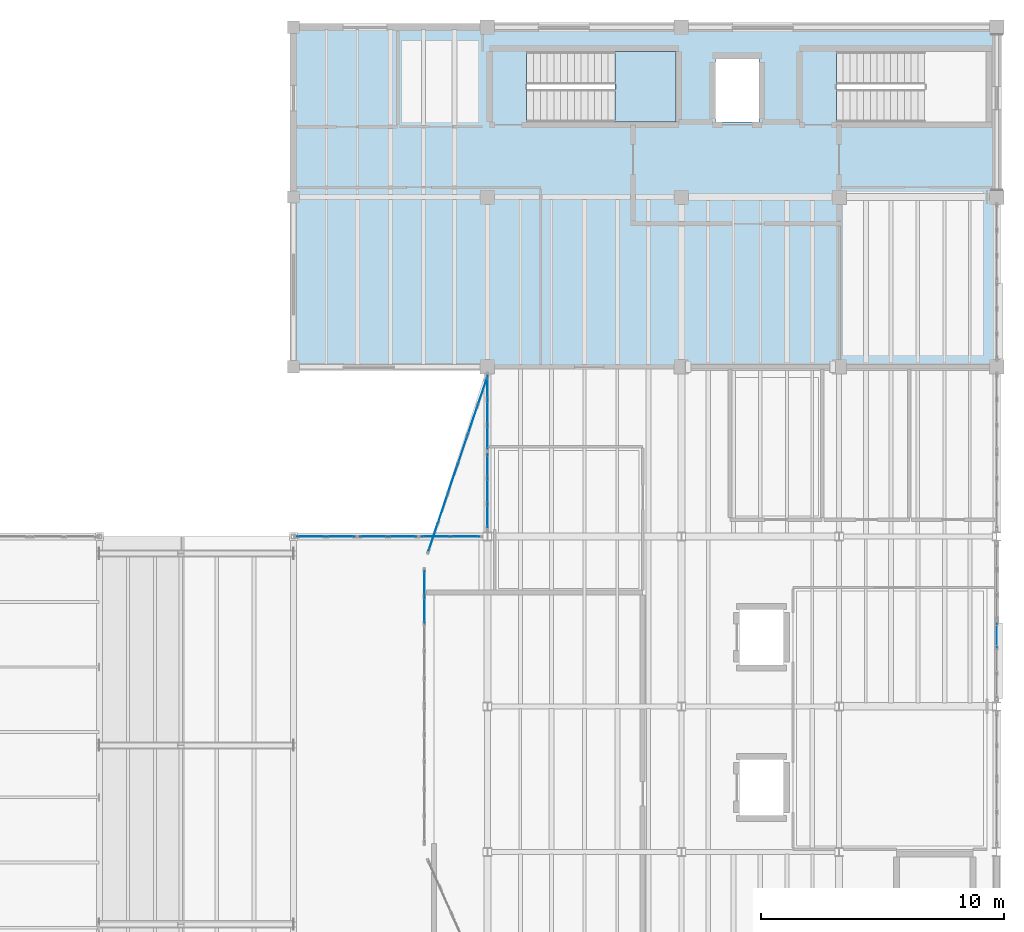
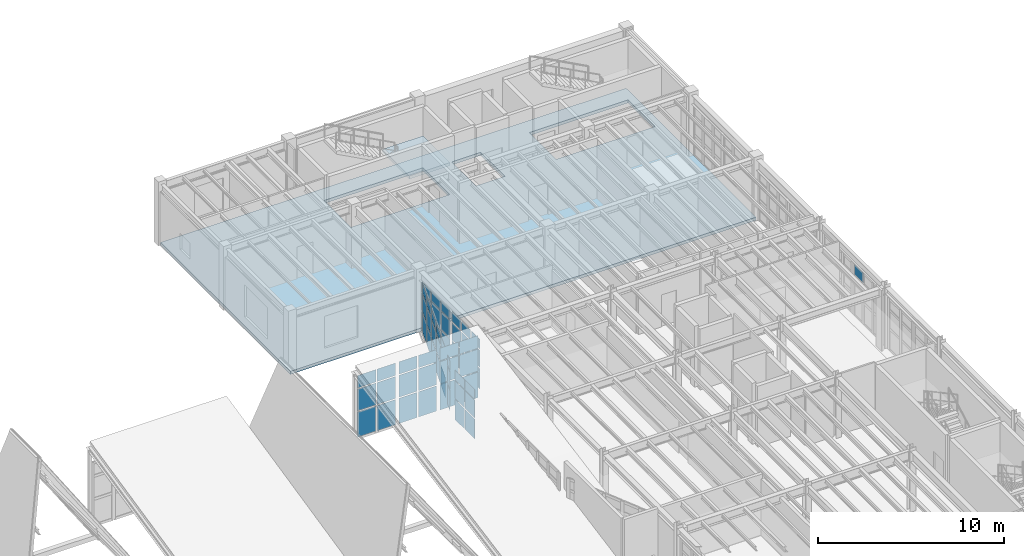
# One storey, part 53 of 77: 61 plates, 2 slabs, 9 elements without a shape of their own.
"""IFC4 building model written with IfcOpenShell, lengths in metres."""

from ifc_helpers import new_model, si_unit, direction, frame, origin, origin_2d, place, context, subcontext, project, spatial, polyline, rectangle, outline, extrude, material, layer, layer_set, type_object, element, aggregate, save


model = new_model("IFC4")

# Units and contexts
model_context = context("Model", 3, precision=1e-05, world=origin(), true_north=direction((0.0, 1.0)))
body_context = subcontext(model_context, "Body", "Model", "MODEL_VIEW")
ifc_project = project(units=[si_unit("LENGTHUNIT", "METRE"), si_unit("AREAUNIT", "SQUARE_METRE"), si_unit("VOLUMEUNIT", "CUBIC_METRE"), si_unit("PLANEANGLEUNIT", "RADIAN"), si_unit("MASSUNIT", "GRAM", prefix="KILO"), si_unit("THERMODYNAMICTEMPERATUREUNIT", "KELVIN"), si_unit("POWERUNIT", "WATT")], contexts=[model_context])

# Site, building, storey
site_placement = place(None, origin())
site = spatial("IfcSite", under=ifc_project, at=site_placement, CompositionType="ELEMENT")
building_placement = place(site_placement, origin())
building = spatial("IfcBuilding", under=site, at=building_placement, Name="Zhenchuan Central Fire Station", CompositionType="ELEMENT")
storey_placement = place(building_placement, frame((0.0, 0.0, 10.050048828125)))
storey = spatial("IfcBuildingStorey", under=building, at=storey_placement, Name="L03", CompositionType="ELEMENT", Elevation=10.050048828125)

# Curtain wall, plates
ifc_material_1 = material(Name="Anodised aluminium and low-E glazing", Category="aluminium")
curtain_wall_type_1 = type_object("IfcCurtainWallType", Name="CW-MOD-21", PredefinedType="USERDEFINED", material=ifc_material_1)
curtain_wall_1_placement = place(storey_placement, origin())
curtain_wall_1 = element("IfcCurtainWall", 1, at=curtain_wall_1_placement, inside=storey, type_object=curtain_wall_type_1, Name="L03 Unitised Curtain Wall 013", ObjectType="UNITISED GLAZING", PredefinedType="USERDEFINED")
ifc_material_2 = material(Name="Laminated low-E double glazing", Category="glass")
ifc_layer_1 = layer(ifc_material_2, 0.011962890625, Name="Laminated low-E double glazing", Category="glass")
ifc_layer_set_1 = layer_set([ifc_layer_1], Name="Laminated low-E double glazing")
plate_type = type_object("IfcPlateType", Name="CW-PNL12", PredefinedType="CURTAIN_PANEL", material=ifc_layer_set_1)
plate_1_placement = place(storey_placement, frame((132.733642578125, 35.5, -0.12890625), z_axis=(0.0, 0.0, 1.0), x_axis=(1.0, 0.0, 0.0)))
plate_1 = element("IfcPlate", 2, at=plate_1_placement, type_object=plate_type, Name="CW-21 panel 1.1", PredefinedType="CURTAIN_PANEL", context=body_context, shape_type="SweptSolid", body=[
    extrude(rectangle(XDim=1.141357421875, YDim=0.011962890625, at=origin_2d()), origin(), (0.0, 0.0, 1.0), 1.655517578125),
])
plate_2_placement = place(storey_placement, frame((132.733642578125, 35.5, 1.6015625), z_axis=(0.0, 0.0, 1.0), x_axis=(1.0, 0.0, 0.0)))
plate_2 = element("IfcPlate", 3, at=plate_2_placement, type_object=plate_type, Name="CW-21 panel 1.2", PredefinedType="CURTAIN_PANEL", context=body_context, shape_type="SweptSolid", body=[
    extrude(rectangle(XDim=1.141357421875, YDim=0.011962890625, at=origin_2d()), origin(), (0.0, 0.0, 1.0), 1.43701171875),
])
plate_3_placement = place(storey_placement, frame((132.733642578125, 35.5, 3.113525390625), z_axis=(0.0, 0.0, 1.0), x_axis=(1.0, 0.0, 0.0)))
plate_3 = element("IfcPlate", 4, at=plate_3_placement, type_object=plate_type, Name="CW-21 panel 1.3", PredefinedType="CURTAIN_PANEL", context=body_context, shape_type="SweptSolid", body=[
    extrude(rectangle(XDim=1.141357421875, YDim=0.011962890625, at=origin_2d()), origin(), (0.0, 0.0, 1.0), 0.8115234375),
])
plate_4_placement = place(storey_placement, frame((133.949951171875, 35.5, -0.12890625), z_axis=(0.0, 0.0, 1.0), x_axis=(1.0, 0.0, 0.0)))
plate_4 = element("IfcPlate", 5, at=plate_4_placement, type_object=plate_type, Name="CW-21 panel 2.1", PredefinedType="CURTAIN_PANEL", context=body_context, shape_type="SweptSolid", body=[
    extrude(rectangle(XDim=1.141357421875, YDim=0.011962890625, at=origin_2d()), origin(), (0.0, 0.0, 1.0), 1.655517578125),
])
plate_5_placement = place(storey_placement, frame((133.949951171875, 35.5, 1.6015625), z_axis=(0.0, 0.0, 1.0), x_axis=(1.0, 0.0, 0.0)))
plate_5 = element("IfcPlate", 6, at=plate_5_placement, type_object=plate_type, Name="CW-21 panel 2.2", PredefinedType="CURTAIN_PANEL", context=body_context, shape_type="SweptSolid", body=[
    extrude(rectangle(XDim=1.141357421875, YDim=0.011962890625, at=origin_2d()), origin(), (0.0, 0.0, 1.0), 1.43701171875),
])
plate_6_placement = place(storey_placement, frame((133.949951171875, 35.5, 3.113525390625), z_axis=(0.0, 0.0, 1.0), x_axis=(1.0, 0.0, 0.0)))
plate_6 = element("IfcPlate", 7, at=plate_6_placement, type_object=plate_type, Name="CW-21 panel 2.3", PredefinedType="CURTAIN_PANEL", context=body_context, shape_type="SweptSolid", body=[
    extrude(rectangle(XDim=1.141357421875, YDim=0.011962890625, at=origin_2d()), origin(), (0.0, 0.0, 1.0), 0.8115234375),
])
aggregate(curtain_wall_1, [plate_1, plate_2, plate_3, plate_4, plate_5, plate_6])

curtain_wall_type_2 = type_object("IfcCurtainWallType", Name="CW-MOD-22", PredefinedType="USERDEFINED", material=ifc_material_1)
curtain_wall_2_placement = place(storey_placement, origin())
curtain_wall_2 = element("IfcCurtainWall", 8, at=curtain_wall_2_placement, inside=storey, type_object=curtain_wall_type_2, Name="L03 Unitised Curtain Wall 014", ObjectType="UNITISED GLAZING", PredefinedType="USERDEFINED")
plate_7_placement = place(storey_placement, frame((135.307861328125, 35.5, -0.12890625), z_axis=(0.0, 0.0, 1.0), x_axis=(1.0, 0.0, 0.0)))
plate_7 = element("IfcPlate", 9, at=plate_7_placement, type_object=plate_type, Name="CW-22 panel 1.1", PredefinedType="CURTAIN_PANEL", context=body_context, shape_type="SweptSolid", body=[
    extrude(rectangle(XDim=1.122314453125, YDim=0.011962890625, at=origin_2d()), origin(), (0.0, 0.0, 1.0), 1.655517578125),
])
plate_8_placement = place(storey_placement, frame((135.307861328125, 35.5, 1.6015625), z_axis=(0.0, 0.0, 1.0), x_axis=(1.0, 0.0, 0.0)))
plate_8 = element("IfcPlate", 10, at=plate_8_placement, type_object=plate_type, Name="CW-22 panel 1.2", PredefinedType="CURTAIN_PANEL", context=body_context, shape_type="SweptSolid", body=[
    extrude(rectangle(XDim=1.122314453125, YDim=0.011962890625, at=origin_2d()), origin(), (0.0, 0.0, 1.0), 1.43701171875),
])
plate_9_placement = place(storey_placement, frame((135.307861328125, 35.5, 3.113525390625), z_axis=(0.0, 0.0, 1.0), x_axis=(1.0, 0.0, 0.0)))
plate_9 = element("IfcPlate", 11, at=plate_9_placement, type_object=plate_type, Name="CW-22 panel 1.3", PredefinedType="CURTAIN_PANEL", context=body_context, shape_type="SweptSolid", body=[
    extrude(rectangle(XDim=1.122314453125, YDim=0.011962890625, at=origin_2d()), origin(), (0.0, 0.0, 1.0), 0.8115234375),
])
plate_10_placement = place(storey_placement, frame((136.505126953125, 35.5, -0.12890625), z_axis=(0.0, 0.0, 1.0), x_axis=(1.0, 0.0, 0.0)))
plate_10 = element("IfcPlate", 12, at=plate_10_placement, type_object=plate_type, Name="CW-22 panel 2.1", PredefinedType="CURTAIN_PANEL", context=body_context, shape_type="SweptSolid", body=[
    extrude(rectangle(XDim=1.122314453125, YDim=0.011962890625, at=origin_2d()), origin(), (0.0, 0.0, 1.0), 1.655517578125),
])
plate_11_placement = place(storey_placement, frame((136.505126953125, 35.5, 1.6015625), z_axis=(0.0, 0.0, 1.0), x_axis=(1.0, 0.0, 0.0)))
plate_11 = element("IfcPlate", 13, at=plate_11_placement, type_object=plate_type, Name="CW-22 panel 2.2", PredefinedType="CURTAIN_PANEL", context=body_context, shape_type="SweptSolid", body=[
    extrude(rectangle(XDim=1.122314453125, YDim=0.011962890625, at=origin_2d()), origin(), (0.0, 0.0, 1.0), 1.43701171875),
])
plate_12_placement = place(storey_placement, frame((136.505126953125, 35.5, 3.113525390625), z_axis=(0.0, 0.0, 1.0), x_axis=(1.0, 0.0, 0.0)))
plate_12 = element("IfcPlate", 14, at=plate_12_placement, type_object=plate_type, Name="CW-22 panel 2.3", PredefinedType="CURTAIN_PANEL", context=body_context, shape_type="SweptSolid", body=[
    extrude(rectangle(XDim=1.122314453125, YDim=0.011962890625, at=origin_2d()), origin(), (0.0, 0.0, 1.0), 0.8115234375),
])
aggregate(curtain_wall_2, [plate_7, plate_8, plate_9, plate_10, plate_11, plate_12])

curtain_wall_type_3 = type_object("IfcCurtainWallType", Name="CW-MOD-01", PredefinedType="USERDEFINED", material=ifc_material_1)
curtain_wall_3_placement = place(storey_placement, origin())
curtain_wall_3 = element("IfcCurtainWall", 15, at=curtain_wall_3_placement, inside=storey, type_object=curtain_wall_type_3, Name="L03 Unitised Curtain Wall 015", ObjectType="UNITISED GLAZING", PredefinedType="USERDEFINED")
plate_13_placement = place(storey_placement, frame((137.860595703125, 35.5, -0.138916015625), z_axis=(0.0, 0.0, 1.0), x_axis=(1.0, 0.0, 0.0)))
plate_13 = element("IfcPlate", 16, at=plate_13_placement, type_object=plate_type, Name="CW-01 panel 1.1", PredefinedType="CURTAIN_PANEL", context=body_context, shape_type="SweptSolid", body=[
    extrude(rectangle(XDim=1.15625, YDim=0.011962890625, at=origin_2d()), origin(), (0.0, 0.0, 1.0), 1.67041015625),
])
plate_14_placement = place(storey_placement, frame((137.860595703125, 35.5, 1.5966796875), z_axis=(0.0, 0.0, 1.0), x_axis=(1.0, 0.0, 0.0)))
plate_14 = element("IfcPlate", 17, at=plate_14_placement, type_object=plate_type, Name="CW-01 panel 1.2", PredefinedType="CURTAIN_PANEL", context=body_context, shape_type="SweptSolid", body=[
    extrude(rectangle(XDim=1.15625, YDim=0.011962890625, at=origin_2d()), origin(), (0.0, 0.0, 1.0), 1.447021484375),
])
plate_15_placement = place(storey_placement, frame((137.860595703125, 35.5, 3.1083984375), z_axis=(0.0, 0.0, 1.0), x_axis=(1.0, 0.0, 0.0)))
plate_15 = element("IfcPlate", 18, at=plate_15_placement, type_object=plate_type, Name="CW-01 panel 1.3", PredefinedType="CURTAIN_PANEL", context=body_context, shape_type="SweptSolid", body=[
    extrude(rectangle(XDim=1.15625, YDim=0.011962890625, at=origin_2d()), origin(), (0.0, 0.0, 1.0), 0.826416015625),
])
plate_16_placement = place(storey_placement, frame((139.081787109375, 35.5, -0.138916015625), z_axis=(0.0, 0.0, 1.0), x_axis=(1.0, 0.0, 0.0)))
plate_16 = element("IfcPlate", 19, at=plate_16_placement, type_object=plate_type, Name="CW-01 panel 2.1", PredefinedType="CURTAIN_PANEL", context=body_context, shape_type="SweptSolid", body=[
    extrude(rectangle(XDim=1.15625, YDim=0.011962890625, at=origin_2d()), origin(), (0.0, 0.0, 1.0), 1.67041015625),
])
plate_17_placement = place(storey_placement, frame((139.081787109375, 35.5, 1.5966796875), z_axis=(0.0, 0.0, 1.0), x_axis=(1.0, 0.0, 0.0)))
plate_17 = element("IfcPlate", 20, at=plate_17_placement, type_object=plate_type, Name="CW-01 panel 2.2", PredefinedType="CURTAIN_PANEL", context=body_context, shape_type="SweptSolid", body=[
    extrude(rectangle(XDim=1.15625, YDim=0.011962890625, at=origin_2d()), origin(), (0.0, 0.0, 1.0), 1.447021484375),
])
plate_18_placement = place(storey_placement, frame((139.081787109375, 35.5, 3.1083984375), z_axis=(0.0, 0.0, 1.0), x_axis=(1.0, 0.0, 0.0)))
plate_18 = element("IfcPlate", 21, at=plate_18_placement, type_object=plate_type, Name="CW-01 panel 2.3", PredefinedType="CURTAIN_PANEL", context=body_context, shape_type="SweptSolid", body=[
    extrude(rectangle(XDim=1.15625, YDim=0.011962890625, at=origin_2d()), origin(), (0.0, 0.0, 1.0), 0.826416015625),
])
aggregate(curtain_wall_3, [plate_13, plate_14, plate_15, plate_16, plate_17, plate_18])

# Curtain wall, plate
curtain_wall_type_4 = type_object("IfcCurtainWallType", Name="CW-MOD-11", PredefinedType="USERDEFINED", material=ifc_material_1)
curtain_wall_4_placement = place(storey_placement, origin())
curtain_wall_4 = element("IfcCurtainWall", 22, at=curtain_wall_4_placement, inside=storey, type_object=curtain_wall_type_4, Name="L03 Unitised Curtain Wall 108", ObjectType="UNITISED GLAZING", PredefinedType="USERDEFINED")
plate_19_placement = place(storey_placement, frame((161.0, 31.418701171875, 2.6845703125), z_axis=(0.0, 0.0, 1.0), x_axis=(0.0, 1.0, 0.0)))
plate_19 = element("IfcPlate", 23, at=plate_19_placement, type_object=plate_type, Name="CW-11 panel 3.3", PredefinedType="CURTAIN_PANEL", context=body_context, shape_type="SweptSolid", body=[
    extrude(rectangle(XDim=0.95654296875, YDim=0.011962890625, at=origin_2d()), origin(), (0.0, 0.0, 1.0), 0.650390625),
])
aggregate(curtain_wall_4, [plate_19])

# Curtain wall, plates
curtain_wall_type_5 = type_object("IfcCurtainWallType", Name="CW-MOD-16", PredefinedType="USERDEFINED", material=ifc_material_1)
curtain_wall_5_placement = place(storey_placement, origin())
curtain_wall_5 = element("IfcCurtainWall", 24, at=curtain_wall_5_placement, inside=storey, type_object=curtain_wall_type_5, Name="L03 Unitised Curtain Wall 116", ObjectType="UNITISED GLAZING", PredefinedType="USERDEFINED")
plate_20_placement = place(storey_placement, frame((140.0, 36.345703125, 0.07080078125), z_axis=(0.0, 0.0, 1.0), x_axis=(0.0, 1.0, 0.0)))
plate_20 = element("IfcPlate", 25, at=plate_20_placement, type_object=plate_type, Name="CW-16 panel 1.1", PredefinedType="CURTAIN_PANEL", context=body_context, shape_type="SweptSolid", body=[
    extrude(rectangle(XDim=0.94140625, YDim=0.011962890625, at=origin_2d()), origin(), (0.0, 0.0, 1.0), 1.319580078125),
])
plate_21_placement = place(storey_placement, frame((140.0, 36.345703125, 1.465576171875), z_axis=(0.0, 0.0, 1.0), x_axis=(0.0, 1.0, 0.0)))
plate_21 = element("IfcPlate", 26, at=plate_21_placement, type_object=plate_type, Name="CW-16 panel 1.2", PredefinedType="CURTAIN_PANEL", context=body_context, shape_type="SweptSolid", body=[
    extrude(rectangle(XDim=0.94140625, YDim=0.011962890625, at=origin_2d()), origin(), (0.0, 0.0, 1.0), 1.14892578125),
])
plate_22_placement = place(storey_placement, frame((140.0, 36.345703125, 2.689453125), z_axis=(0.0, 0.0, 1.0), x_axis=(0.0, 1.0, 0.0)))
plate_22 = element("IfcPlate", 27, at=plate_22_placement, type_object=plate_type, Name="CW-16 panel 1.3", PredefinedType="CURTAIN_PANEL", context=body_context, shape_type="SweptSolid", body=[
    extrude(rectangle(XDim=0.94140625, YDim=0.011962890625, at=origin_2d()), origin(), (0.0, 0.0, 1.0), 0.635498046875),
])
plate_23_placement = place(storey_placement, frame((140.0, 37.381103515625, 0.07080078125), z_axis=(0.0, 0.0, 1.0), x_axis=(0.0, 1.0, 0.0)))
plate_23 = element("IfcPlate", 28, at=plate_23_placement, type_object=plate_type, Name="CW-16 panel 2.1", PredefinedType="CURTAIN_PANEL", context=body_context, shape_type="SweptSolid", body=[
    extrude(rectangle(XDim=0.97900390625, YDim=0.011962890625, at=origin_2d()), origin(), (0.0, 0.0, 1.0), 1.319580078125),
])
plate_24_placement = place(storey_placement, frame((140.0, 37.381103515625, 1.465576171875), z_axis=(0.0, 0.0, 1.0), x_axis=(0.0, 1.0, 0.0)))
plate_24 = element("IfcPlate", 29, at=plate_24_placement, type_object=plate_type, Name="CW-16 panel 2.2", PredefinedType="CURTAIN_PANEL", context=body_context, shape_type="SweptSolid", body=[
    extrude(rectangle(XDim=0.97900390625, YDim=0.011962890625, at=origin_2d()), origin(), (0.0, 0.0, 1.0), 1.14892578125),
])
plate_25_placement = place(storey_placement, frame((140.0, 37.381103515625, 2.689453125), z_axis=(0.0, 0.0, 1.0), x_axis=(0.0, 1.0, 0.0)))
plate_25 = element("IfcPlate", 30, at=plate_25_placement, type_object=plate_type, Name="CW-16 panel 2.3", PredefinedType="CURTAIN_PANEL", context=body_context, shape_type="SweptSolid", body=[
    extrude(rectangle(XDim=0.97900390625, YDim=0.011962890625, at=origin_2d()), origin(), (0.0, 0.0, 1.0), 0.635498046875),
])
plate_26_placement = place(storey_placement, frame((140.0, 38.416259765625, 0.07080078125), z_axis=(0.0, 0.0, 1.0), x_axis=(0.0, 1.0, 0.0)))
plate_26 = element("IfcPlate", 31, at=plate_26_placement, type_object=plate_type, Name="CW-16 panel 3.1", PredefinedType="CURTAIN_PANEL", context=body_context, shape_type="SweptSolid", body=[
    extrude(rectangle(XDim=0.94140625, YDim=0.011962890625, at=origin_2d()), origin(), (0.0, 0.0, 1.0), 1.319580078125),
])
plate_27_placement = place(storey_placement, frame((140.0, 38.416259765625, 1.465576171875), z_axis=(0.0, 0.0, 1.0), x_axis=(0.0, 1.0, 0.0)))
plate_27 = element("IfcPlate", 32, at=plate_27_placement, type_object=plate_type, Name="CW-16 panel 3.2", PredefinedType="CURTAIN_PANEL", context=body_context, shape_type="SweptSolid", body=[
    extrude(rectangle(XDim=0.94140625, YDim=0.011962890625, at=origin_2d()), origin(), (0.0, 0.0, 1.0), 1.14892578125),
])
plate_28_placement = place(storey_placement, frame((140.0, 38.416259765625, 2.689453125), z_axis=(0.0, 0.0, 1.0), x_axis=(0.0, 1.0, 0.0)))
plate_28 = element("IfcPlate", 33, at=plate_28_placement, type_object=plate_type, Name="CW-16 panel 3.3", PredefinedType="CURTAIN_PANEL", context=body_context, shape_type="SweptSolid", body=[
    extrude(rectangle(XDim=0.94140625, YDim=0.011962890625, at=origin_2d()), origin(), (0.0, 0.0, 1.0), 0.635498046875),
])
aggregate(curtain_wall_5, [plate_20, plate_21, plate_22, plate_23, plate_24, plate_25, plate_26, plate_27, plate_28])

curtain_wall_type_6 = type_object("IfcCurtainWallType", Name="CW-MOD-17", PredefinedType="USERDEFINED", material=ifc_material_1)
curtain_wall_6_placement = place(storey_placement, origin())
curtain_wall_6 = element("IfcCurtainWall", 34, at=curtain_wall_6_placement, inside=storey, type_object=curtain_wall_type_6, Name="L03 Unitised Curtain Wall 117", ObjectType="UNITISED GLAZING", PredefinedType="USERDEFINED")
plate_29_placement = place(storey_placement, frame((140.0, 39.583740234375, 0.07080078125), z_axis=(0.0, 0.0, 1.0), x_axis=(0.0, 1.0, 0.0)))
plate_29 = element("IfcPlate", 35, at=plate_29_placement, type_object=plate_type, Name="CW-17 panel 1.1", PredefinedType="CURTAIN_PANEL", context=body_context, shape_type="SweptSolid", body=[
    extrude(rectangle(XDim=0.94140625, YDim=0.011962890625, at=origin_2d()), origin(), (0.0, 0.0, 1.0), 1.319580078125),
])
plate_30_placement = place(storey_placement, frame((140.0, 39.583740234375, 1.465576171875), z_axis=(0.0, 0.0, 1.0), x_axis=(0.0, 1.0, 0.0)))
plate_30 = element("IfcPlate", 36, at=plate_30_placement, type_object=plate_type, Name="CW-17 panel 1.2", PredefinedType="CURTAIN_PANEL", context=body_context, shape_type="SweptSolid", body=[
    extrude(rectangle(XDim=0.94140625, YDim=0.011962890625, at=origin_2d()), origin(), (0.0, 0.0, 1.0), 1.14892578125),
])
plate_31_placement = place(storey_placement, frame((140.0, 39.583740234375, 2.689453125), z_axis=(0.0, 0.0, 1.0), x_axis=(0.0, 1.0, 0.0)))
plate_31 = element("IfcPlate", 37, at=plate_31_placement, type_object=plate_type, Name="CW-17 panel 1.3", PredefinedType="CURTAIN_PANEL", context=body_context, shape_type="SweptSolid", body=[
    extrude(rectangle(XDim=0.94140625, YDim=0.011962890625, at=origin_2d()), origin(), (0.0, 0.0, 1.0), 0.635498046875),
])
plate_32_placement = place(storey_placement, frame((140.0, 40.618896484375, 0.07080078125), z_axis=(0.0, 0.0, 1.0), x_axis=(0.0, 1.0, 0.0)))
plate_32 = element("IfcPlate", 38, at=plate_32_placement, type_object=plate_type, Name="CW-17 panel 2.1", PredefinedType="CURTAIN_PANEL", context=body_context, shape_type="SweptSolid", body=[
    extrude(rectangle(XDim=0.97900390625, YDim=0.011962890625, at=origin_2d()), origin(), (0.0, 0.0, 1.0), 1.319580078125),
])
plate_33_placement = place(storey_placement, frame((140.0, 40.618896484375, 1.465576171875), z_axis=(0.0, 0.0, 1.0), x_axis=(0.0, 1.0, 0.0)))
plate_33 = element("IfcPlate", 39, at=plate_33_placement, type_object=plate_type, Name="CW-17 panel 2.2", PredefinedType="CURTAIN_PANEL", context=body_context, shape_type="SweptSolid", body=[
    extrude(rectangle(XDim=0.97900390625, YDim=0.011962890625, at=origin_2d()), origin(), (0.0, 0.0, 1.0), 1.14892578125),
])
plate_34_placement = place(storey_placement, frame((140.0, 40.618896484375, 2.689453125), z_axis=(0.0, 0.0, 1.0), x_axis=(0.0, 1.0, 0.0)))
plate_34 = element("IfcPlate", 40, at=plate_34_placement, type_object=plate_type, Name="CW-17 panel 2.3", PredefinedType="CURTAIN_PANEL", context=body_context, shape_type="SweptSolid", body=[
    extrude(rectangle(XDim=0.97900390625, YDim=0.011962890625, at=origin_2d()), origin(), (0.0, 0.0, 1.0), 0.635498046875),
])
plate_35_placement = place(storey_placement, frame((140.0, 41.654296875, 0.07080078125), z_axis=(0.0, 0.0, 1.0), x_axis=(0.0, 1.0, 0.0)))
plate_35 = element("IfcPlate", 41, at=plate_35_placement, type_object=plate_type, Name="CW-17 panel 3.1", PredefinedType="CURTAIN_PANEL", context=body_context, shape_type="SweptSolid", body=[
    extrude(rectangle(XDim=0.94140625, YDim=0.011962890625, at=origin_2d()), origin(), (0.0, 0.0, 1.0), 1.319580078125),
])
plate_36_placement = place(storey_placement, frame((140.0, 41.654296875, 1.465576171875), z_axis=(0.0, 0.0, 1.0), x_axis=(0.0, 1.0, 0.0)))
plate_36 = element("IfcPlate", 42, at=plate_36_placement, type_object=plate_type, Name="CW-17 panel 3.2", PredefinedType="CURTAIN_PANEL", context=body_context, shape_type="SweptSolid", body=[
    extrude(rectangle(XDim=0.94140625, YDim=0.011962890625, at=origin_2d()), origin(), (0.0, 0.0, 1.0), 1.14892578125),
])
plate_37_placement = place(storey_placement, frame((140.0, 41.654296875, 2.689453125), z_axis=(0.0, 0.0, 1.0), x_axis=(0.0, 1.0, 0.0)))
plate_37 = element("IfcPlate", 43, at=plate_37_placement, type_object=plate_type, Name="CW-17 panel 3.3", PredefinedType="CURTAIN_PANEL", context=body_context, shape_type="SweptSolid", body=[
    extrude(rectangle(XDim=0.94140625, YDim=0.011962890625, at=origin_2d()), origin(), (0.0, 0.0, 1.0), 0.635498046875),
])
aggregate(curtain_wall_6, [plate_29, plate_30, plate_31, plate_32, plate_33, plate_34, plate_35, plate_36, plate_37])

curtain_wall_7_placement = place(storey_placement, origin())
curtain_wall_7 = element("IfcCurtainWall", 44, at=curtain_wall_7_placement, inside=storey, type_object=curtain_wall_type_6, Name="L03 Unitised Curtain Wall 120", ObjectType="UNITISED GLAZING", PredefinedType="USERDEFINED")
plate_38_placement = place(storey_placement, frame((137.39990234375, 32.46630859375, 0.07080078125), z_axis=(0.0, 0.0, 1.0), x_axis=(0.0, 1.0, 0.0)))
plate_38 = element("IfcPlate", 45, at=plate_38_placement, type_object=plate_type, Name="CW-17 panel 4.1", PredefinedType="CURTAIN_PANEL", context=body_context, shape_type="SweptSolid", body=[
    extrude(rectangle(XDim=1.04736328125, YDim=0.011962890625, at=origin_2d()), origin(), (0.0, 0.0, 1.0), 1.319580078125),
])
plate_39_placement = place(storey_placement, frame((137.39990234375, 32.46630859375, 1.465576171875), z_axis=(0.0, 0.0, 1.0), x_axis=(0.0, 1.0, 0.0)))
plate_39 = element("IfcPlate", 46, at=plate_39_placement, type_object=plate_type, Name="CW-17 panel 4.2", PredefinedType="CURTAIN_PANEL", context=body_context, shape_type="SweptSolid", body=[
    extrude(rectangle(XDim=1.04736328125, YDim=0.011962890625, at=origin_2d()), origin(), (0.0, 0.0, 1.0), 1.14892578125),
])
plate_40_placement = place(storey_placement, frame((137.39990234375, 32.46630859375, 2.689453125), z_axis=(0.0, 0.0, 1.0), x_axis=(0.0, 1.0, 0.0)))
plate_40 = element("IfcPlate", 47, at=plate_40_placement, type_object=plate_type, Name="CW-17 panel 4.3", PredefinedType="CURTAIN_PANEL", context=body_context, shape_type="SweptSolid", body=[
    extrude(rectangle(XDim=1.04736328125, YDim=0.011962890625, at=origin_2d()), origin(), (0.0, 0.0, 1.0), 0.635498046875),
])
plate_41_placement = place(storey_placement, frame((137.39990234375, 33.570068359375, 0.07080078125), z_axis=(0.0, 0.0, 1.0), x_axis=(0.0, 1.0, 0.0)))
plate_41 = element("IfcPlate", 48, at=plate_41_placement, type_object=plate_type, Name="CW-17 panel 5.1", PredefinedType="CURTAIN_PANEL", context=body_context, shape_type="SweptSolid", body=[
    extrude(rectangle(XDim=1.010009765625, YDim=0.011962890625, at=origin_2d()), origin(), (0.0, 0.0, 1.0), 1.319580078125),
])
plate_42_placement = place(storey_placement, frame((137.39990234375, 33.570068359375, 1.465576171875), z_axis=(0.0, 0.0, 1.0), x_axis=(0.0, 1.0, 0.0)))
plate_42 = element("IfcPlate", 49, at=plate_42_placement, type_object=plate_type, Name="CW-17 panel 5.2", PredefinedType="CURTAIN_PANEL", context=body_context, shape_type="SweptSolid", body=[
    extrude(rectangle(XDim=1.010009765625, YDim=0.011962890625, at=origin_2d()), origin(), (0.0, 0.0, 1.0), 1.14892578125),
])
plate_43_placement = place(storey_placement, frame((137.39990234375, 33.570068359375, 2.689453125), z_axis=(0.0, 0.0, 1.0), x_axis=(0.0, 1.0, 0.0)))
plate_43 = element("IfcPlate", 50, at=plate_43_placement, type_object=plate_type, Name="CW-17 panel 5.3", PredefinedType="CURTAIN_PANEL", context=body_context, shape_type="SweptSolid", body=[
    extrude(rectangle(XDim=1.010009765625, YDim=0.011962890625, at=origin_2d()), origin(), (0.0, 0.0, 1.0), 0.635498046875),
])
aggregate(curtain_wall_7, [plate_38, plate_39, plate_40, plate_41, plate_42, plate_43])

curtain_wall_type_7 = type_object("IfcCurtainWallType", Name="CW-MOD-18", PredefinedType="USERDEFINED", material=ifc_material_1)
curtain_wall_8_placement = place(storey_placement, origin())
curtain_wall_8 = element("IfcCurtainWall", 51, at=curtain_wall_8_placement, inside=storey, type_object=curtain_wall_type_7, Name="L03 Unitised Curtain Wall 121", ObjectType="UNITISED GLAZING", PredefinedType="USERDEFINED")
plate_44_placement = place(storey_placement, frame((137.76025390625, 35.471923828125, 0.07080078125), z_axis=(0.0, 0.0, 1.0), x_axis=(0.320145211655, 0.94736848346, 0.0)))
plate_44 = element("IfcPlate", 52, at=plate_44_placement, type_object=plate_type, Name="CW-18 panel 1.1", PredefinedType="CURTAIN_PANEL", context=body_context, shape_type="SweptSolid", body=[
    extrude(rectangle(XDim=1.162841796875, YDim=0.011962890625, at=origin_2d()), origin(), (0.0, 0.0, 1.0), 1.319580078125),
])
plate_45_placement = place(storey_placement, frame((137.76025390625, 35.471923828125, 1.465576171875), z_axis=(0.0, 0.0, 1.0), x_axis=(0.320145211655, 0.94736848346, 0.0)))
plate_45 = element("IfcPlate", 53, at=plate_45_placement, type_object=plate_type, Name="CW-18 panel 1.2", PredefinedType="CURTAIN_PANEL", context=body_context, shape_type="SweptSolid", body=[
    extrude(rectangle(XDim=1.162841796875, YDim=0.011962890625, at=origin_2d()), origin(), (0.0, 0.0, 1.0), 1.14892578125),
])
plate_46_placement = place(storey_placement, frame((137.76025390625, 35.471923828125, 2.689453125), z_axis=(0.0, 0.0, 1.0), x_axis=(0.320145211655, 0.94736848346, 0.0)))
plate_46 = element("IfcPlate", 54, at=plate_46_placement, type_object=plate_type, Name="CW-18 panel 1.3", PredefinedType="CURTAIN_PANEL", context=body_context, shape_type="SweptSolid", body=[
    extrude(rectangle(XDim=1.162841796875, YDim=0.011962890625, at=origin_2d()), origin(), (0.0, 0.0, 1.0), 0.635498046875),
])
plate_47_placement = place(storey_placement, frame((138.16259765625, 36.66259765625, 0.07080078125), z_axis=(0.0, 0.0, 1.0), x_axis=(0.320145211655, 0.94736848346, 0.0)))
plate_47 = element("IfcPlate", 55, at=plate_47_placement, type_object=plate_type, Name="CW-18 panel 2.1", PredefinedType="CURTAIN_PANEL", context=body_context, shape_type="SweptSolid", body=[
    extrude(rectangle(XDim=1.200439453125, YDim=0.011962890625, at=origin_2d()), origin(), (0.0, 0.0, 1.0), 1.319580078125),
])
plate_48_placement = place(storey_placement, frame((138.16259765625, 36.66259765625, 1.465576171875), z_axis=(0.0, 0.0, 1.0), x_axis=(0.320145211655, 0.94736848346, 0.0)))
plate_48 = element("IfcPlate", 56, at=plate_48_placement, type_object=plate_type, Name="CW-18 panel 2.2", PredefinedType="CURTAIN_PANEL", context=body_context, shape_type="SweptSolid", body=[
    extrude(rectangle(XDim=1.200439453125, YDim=0.011962890625, at=origin_2d()), origin(), (0.0, 0.0, 1.0), 1.14892578125),
])
plate_49_placement = place(storey_placement, frame((138.16259765625, 36.66259765625, 2.689453125), z_axis=(0.0, 0.0, 1.0), x_axis=(0.320145211655, 0.94736848346, 0.0)))
plate_49 = element("IfcPlate", 57, at=plate_49_placement, type_object=plate_type, Name="CW-18 panel 2.3", PredefinedType="CURTAIN_PANEL", context=body_context, shape_type="SweptSolid", body=[
    extrude(rectangle(XDim=1.200439453125, YDim=0.011962890625, at=origin_2d()), origin(), (0.0, 0.0, 1.0), 0.635498046875),
])
plate_50_placement = place(storey_placement, frame((138.57080078125, 37.870849609375, 0.07080078125), z_axis=(0.0, 0.0, 1.0), x_axis=(0.320145211655, 0.94736848346, 0.0)))
plate_50 = element("IfcPlate", 58, at=plate_50_placement, type_object=plate_type, Name="CW-18 panel 3.1", PredefinedType="CURTAIN_PANEL", context=body_context, shape_type="SweptSolid", body=[
    extrude(rectangle(XDim=1.200439453125, YDim=0.011962890625, at=origin_2d()), origin(), (0.0, 0.0, 1.0), 1.319580078125),
])
plate_51_placement = place(storey_placement, frame((138.57080078125, 37.870849609375, 1.465576171875), z_axis=(0.0, 0.0, 1.0), x_axis=(0.320145211655, 0.94736848346, 0.0)))
plate_51 = element("IfcPlate", 59, at=plate_51_placement, type_object=plate_type, Name="CW-18 panel 3.2", PredefinedType="CURTAIN_PANEL", context=body_context, shape_type="SweptSolid", body=[
    extrude(rectangle(XDim=1.200439453125, YDim=0.011962890625, at=origin_2d()), origin(), (0.0, 0.0, 1.0), 1.14892578125),
])
plate_52_placement = place(storey_placement, frame((138.57080078125, 37.870849609375, 2.689453125), z_axis=(0.0, 0.0, 1.0), x_axis=(0.320145211655, 0.94736848346, 0.0)))
plate_52 = element("IfcPlate", 60, at=plate_52_placement, type_object=plate_type, Name="CW-18 panel 3.3", PredefinedType="CURTAIN_PANEL", context=body_context, shape_type="SweptSolid", body=[
    extrude(rectangle(XDim=1.200439453125, YDim=0.011962890625, at=origin_2d()), origin(), (0.0, 0.0, 1.0), 0.635498046875),
])
plate_53_placement = place(storey_placement, frame((138.979248046875, 39.0791015625, 0.07080078125), z_axis=(0.0, 0.0, 1.0), x_axis=(0.320145211655, 0.94736848346, 0.0)))
plate_53 = element("IfcPlate", 61, at=plate_53_placement, type_object=plate_type, Name="CW-18 panel 4.1", PredefinedType="CURTAIN_PANEL", context=body_context, shape_type="SweptSolid", body=[
    extrude(rectangle(XDim=1.200439453125, YDim=0.011962890625, at=origin_2d()), origin(), (0.0, 0.0, 1.0), 1.319580078125),
])
plate_54_placement = place(storey_placement, frame((138.979248046875, 39.0791015625, 1.465576171875), z_axis=(0.0, 0.0, 1.0), x_axis=(0.320145211655, 0.94736848346, 0.0)))
plate_54 = element("IfcPlate", 62, at=plate_54_placement, type_object=plate_type, Name="CW-18 panel 4.2", PredefinedType="CURTAIN_PANEL", context=body_context, shape_type="SweptSolid", body=[
    extrude(rectangle(XDim=1.200439453125, YDim=0.011962890625, at=origin_2d()), origin(), (0.0, 0.0, 1.0), 1.14892578125),
])
plate_55_placement = place(storey_placement, frame((138.979248046875, 39.0791015625, 2.689453125), z_axis=(0.0, 0.0, 1.0), x_axis=(0.320145211655, 0.94736848346, 0.0)))
plate_55 = element("IfcPlate", 63, at=plate_55_placement, type_object=plate_type, Name="CW-18 panel 4.3", PredefinedType="CURTAIN_PANEL", context=body_context, shape_type="SweptSolid", body=[
    extrude(rectangle(XDim=1.200439453125, YDim=0.011962890625, at=origin_2d()), origin(), (0.0, 0.0, 1.0), 0.635498046875),
])
plate_56_placement = place(storey_placement, frame((139.387451171875, 40.28759765625, 0.07080078125), z_axis=(0.0, 0.0, 1.0), x_axis=(0.320145211655, 0.94736848346, 0.0)))
plate_56 = element("IfcPlate", 64, at=plate_56_placement, type_object=plate_type, Name="CW-18 panel 5.1", PredefinedType="CURTAIN_PANEL", context=body_context, shape_type="SweptSolid", body=[
    extrude(rectangle(XDim=1.200439453125, YDim=0.011962890625, at=origin_2d()), origin(), (0.0, 0.0, 1.0), 1.319580078125),
])
plate_57_placement = place(storey_placement, frame((139.387451171875, 40.28759765625, 1.465576171875), z_axis=(0.0, 0.0, 1.0), x_axis=(0.320145211655, 0.94736848346, 0.0)))
plate_57 = element("IfcPlate", 65, at=plate_57_placement, type_object=plate_type, Name="CW-18 panel 5.2", PredefinedType="CURTAIN_PANEL", context=body_context, shape_type="SweptSolid", body=[
    extrude(rectangle(XDim=1.200439453125, YDim=0.011962890625, at=origin_2d()), origin(), (0.0, 0.0, 1.0), 1.14892578125),
])
plate_58_placement = place(storey_placement, frame((139.387451171875, 40.28759765625, 2.689453125), z_axis=(0.0, 0.0, 1.0), x_axis=(0.320145211655, 0.94736848346, 0.0)))
plate_58 = element("IfcPlate", 66, at=plate_58_placement, type_object=plate_type, Name="CW-18 panel 5.3", PredefinedType="CURTAIN_PANEL", context=body_context, shape_type="SweptSolid", body=[
    extrude(rectangle(XDim=1.200439453125, YDim=0.011962890625, at=origin_2d()), origin(), (0.0, 0.0, 1.0), 0.635498046875),
])
plate_59_placement = place(storey_placement, frame((139.789794921875, 41.47802734375, 0.07080078125), z_axis=(0.0, 0.0, 1.0), x_axis=(0.320145211655, 0.94736848346, 0.0)))
plate_59 = element("IfcPlate", 67, at=plate_59_placement, type_object=plate_type, Name="CW-18 panel 6.1", PredefinedType="CURTAIN_PANEL", context=body_context, shape_type="SweptSolid", body=[
    extrude(rectangle(XDim=1.162841796875, YDim=0.011962890625, at=origin_2d()), origin(), (0.0, 0.0, 1.0), 1.319580078125),
])
plate_60_placement = place(storey_placement, frame((139.789794921875, 41.47802734375, 1.465576171875), z_axis=(0.0, 0.0, 1.0), x_axis=(0.320145211655, 0.94736848346, 0.0)))
plate_60 = element("IfcPlate", 68, at=plate_60_placement, type_object=plate_type, Name="CW-18 panel 6.2", PredefinedType="CURTAIN_PANEL", context=body_context, shape_type="SweptSolid", body=[
    extrude(rectangle(XDim=1.162841796875, YDim=0.011962890625, at=origin_2d()), origin(), (0.0, 0.0, 1.0), 1.14892578125),
])
plate_61_placement = place(storey_placement, frame((139.789794921875, 41.47802734375, 2.689453125), z_axis=(0.0, 0.0, 1.0), x_axis=(0.320145211655, 0.94736848346, 0.0)))
plate_61 = element("IfcPlate", 69, at=plate_61_placement, type_object=plate_type, Name="CW-18 panel 6.3", PredefinedType="CURTAIN_PANEL", context=body_context, shape_type="SweptSolid", body=[
    extrude(rectangle(XDim=1.162841796875, YDim=0.011962890625, at=origin_2d()), origin(), (0.0, 0.0, 1.0), 0.635498046875),
])
aggregate(curtain_wall_8, [plate_44, plate_45, plate_46, plate_47, plate_48, plate_49, plate_50, plate_51, plate_52, plate_53, plate_54, plate_55, plate_56, plate_57, plate_58, plate_59, plate_60, plate_61])

# Slab
ifc_material_3 = material(Name="Concrete C35/45", Category="concrete")
ifc_layer_2 = layer(ifc_material_3, 0.199951171875, Name="Concrete C35/45", Category="concrete")
ifc_layer_set_2 = layer_set([ifc_layer_2], Name="Concrete C35/45")
slab_type_1 = type_object("IfcSlabType", Name="SL-FLR200", PredefinedType="FLOOR", material=ifc_layer_set_2)
slab_1_placement = place(storey_placement, frame((0.0, 0.0, -0.199951171875)))
element("IfcSlab", 70, at=slab_1_placement, inside=storey, type_object=slab_type_1, Name="L03 Drill Tower Floor Slab", PredefinedType="FLOOR", context=body_context, shape_type="SweptSolid", body=[
    extrude(outline(polyline([(132.02490234375, 42.50390625), (161.0, 42.50390625), (161.0, 56.5), (132.02490234375, 56.5), (132.02490234375, 42.50390625)]), holes=[polyline([(141.62060546875, 52.60009765625), (147.780029296875, 52.60009765625), (147.780029296875, 55.5), (141.62060546875, 55.5), (141.62060546875, 52.60009765625)]), polyline([(154.390380859375, 52.60009765625), (160.550048828125, 52.60009765625), (160.550048828125, 55.5), (154.390380859375, 55.5), (154.390380859375, 52.60009765625)]), polyline([(149.39990234375, 52.60009765625), (151.199951171875, 52.60009765625), (151.199951171875, 55.199951171875), (149.39990234375, 55.199951171875), (149.39990234375, 52.60009765625)])]), origin(), (0.0, 0.0, 1.0), 0.199951171875),
])

# Stair, slab
stair_type = type_object("IfcStairType", Name="ST-CORE-TYP", PredefinedType="HALF_TURN_STAIR", material=ifc_material_3)
stair_placement = place(storey_placement, origin())
stair = element("IfcStair", 71, at=stair_placement, inside=storey, type_object=stair_type, Name="L03 Drill Tower West Exit Stair", PredefinedType="HALF_TURN_STAIR")
ifc_layer_3 = layer(ifc_material_3, 0.159912109375, Name="Concrete C35/45", Category="concrete")
ifc_layer_set_3 = layer_set([ifc_layer_3], Name="Concrete C35/45")
slab_type_2 = type_object("IfcSlabType", Name="SL-LND160", PredefinedType="LANDING", material=ifc_layer_set_3)
slab_2_placement = place(storey_placement, frame((0.0, 0.0, 1.89990234375)))
slab_2 = element("IfcSlab", 72, at=slab_2_placement, type_object=slab_type_2, Name="ST-12 landing 1", PredefinedType="LANDING", context=body_context, shape_type="SweptSolid", body=[
    extrude(outline(polyline([(145.260009765625, 52.60009765625), (147.780029296875, 52.60009765625), (147.780029296875, 55.5), (145.260009765625, 55.5), (145.260009765625, 52.60009765625)])), origin(), (0.0, 0.0, 1.0), 0.199951171875),
])
aggregate(stair, [slab_2])

save(model, "model.ifc")
